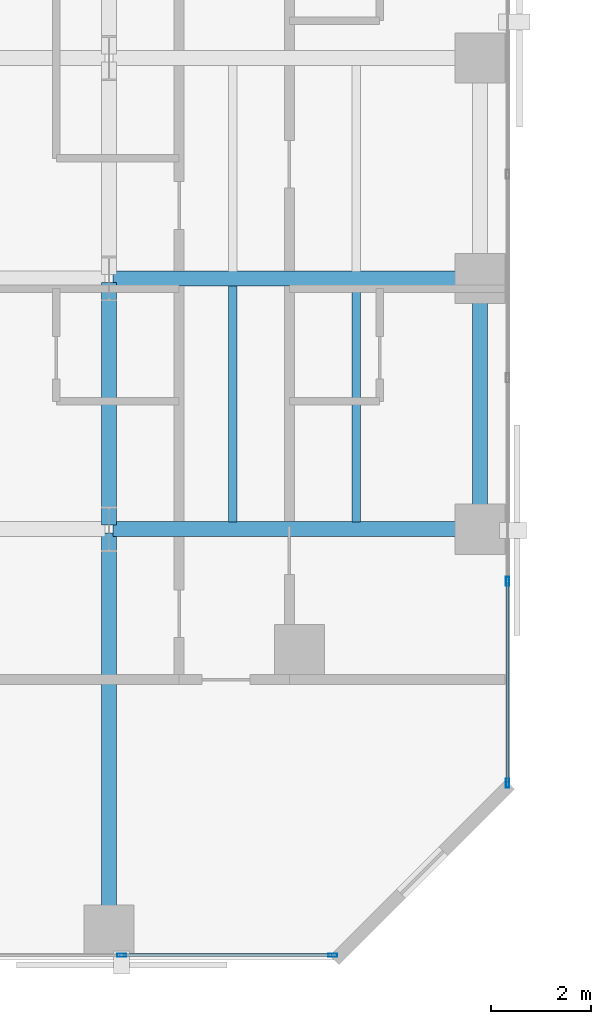
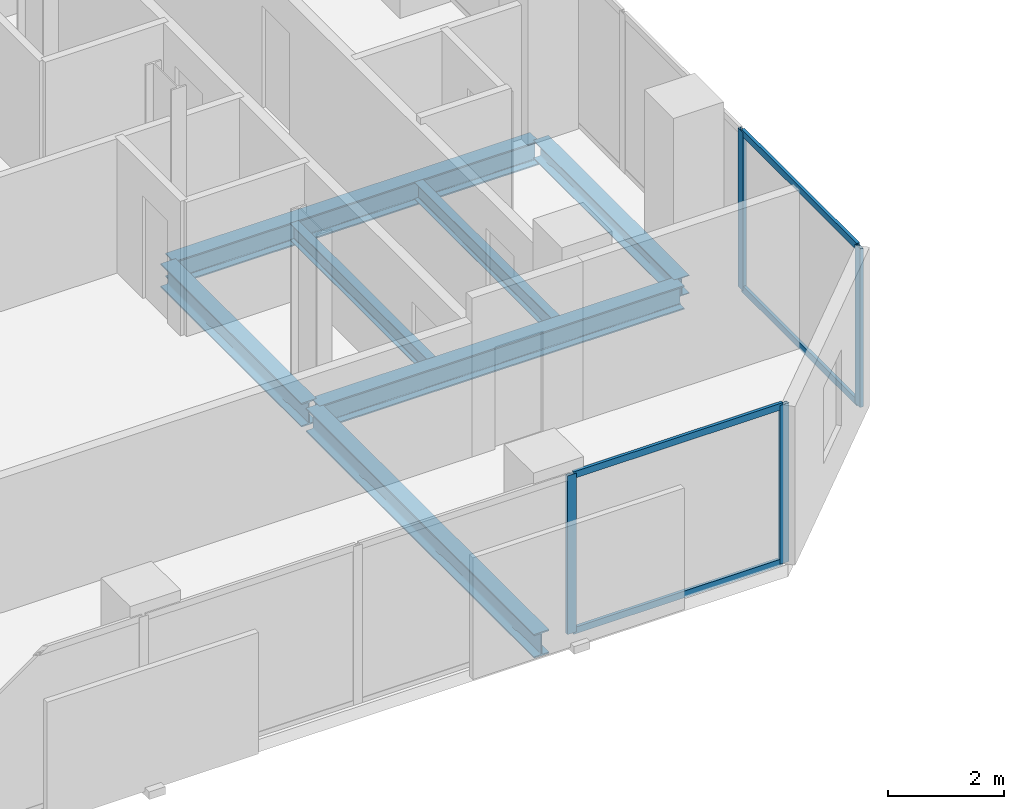
# One storey, part 6 of 31: 8 members, 7 beams, 2 elements without a shape of their own.
"""IFC4 building model written with IfcOpenShell, lengths in metres."""

import ifcopenshell
import ifcopenshell.guid

model = None  # the IFC model being written
_history = None  # IfcOwnerHistory: only IFC2X3 demands one
_inside = {}  # id of a spatial element -> (the spatial element, [elements in it])
_under = {}  # id of a project, library or spatial element -> (it, [spatial elements below it])
_declared = {}  # id of a project -> (the project, [libraries it declares])
_typed = {}  # id of a type object -> (the type object, [elements of that type])
_made_of = {}  # id of a material, layer set ... -> (it, [elements and type objects made of it])


def new_model(schema):
    """Start an empty IFC model of exactly this schema.

    Asked for "IFC4X3", IfcOpenShell would pick the latest addendum, in which some entities
    have other attributes; the version numbers below select the first issue.
    IFC2X3 requires an IfcOwnerHistory on every rooted entity: one is made here for all.
    """
    global model, _history
    if schema == "IFC4X3":
        model = ifcopenshell.file(schema_version=(4, 3, 0, 0))
    else:
        model = ifcopenshell.file(schema=schema)
    _inside.clear()
    _under.clear()
    _declared.clear()
    _typed.clear()
    _made_of.clear()
    _history = None
    if model.schema == "IFC2X3":
        org = make("IfcOrganization", Name="unknown")
        user = make(
            "IfcPersonAndOrganization",
            ThePerson=make("IfcPerson", FamilyName="unknown"),
            TheOrganization=org,
        )
        app = make(
            "IfcApplication",
            ApplicationDeveloper=org,
            Version="unknown",
            ApplicationFullName="unknown",
            ApplicationIdentifier="unknown",
        )
        _history = make(
            "IfcOwnerHistory",
            OwningUser=user,
            OwningApplication=app,
            ChangeAction="ADDED",
            CreationDate=0,
        )
    return model


def make(cls, **values):
    """One entity of the class cls with the attributes given. An attribute that is None is left unset."""
    return model.create_entity(
        cls, **{name: value for name, value in values.items() if value is not None}
    )


def rooted(cls, **values):
    """An entity with a GlobalId (a new one), such as an element, a storey or a relation."""
    return make(cls, GlobalId=ifcopenshell.guid.new(), OwnerHistory=_history, **values)


def si_unit(unit_type, name, prefix=None):
    """IfcSIUnit, for example si_unit("LENGTHUNIT", "METRE", prefix="MILLI")."""
    return make("IfcSIUnit", UnitType=unit_type, Prefix=prefix, Name=name)


def assignment(units):
    """IfcUnitAssignment: the units of a project."""
    return None if units is None else make("IfcUnitAssignment", Units=units)


def point(xyz):
    """IfcCartesianPoint."""
    return None if xyz is None else make("IfcCartesianPoint", Coordinates=xyz)


def direction(xyz):
    """IfcDirection."""
    return None if xyz is None else make("IfcDirection", DirectionRatios=xyz)


def frame(location, z_axis=None, x_axis=None):
    """IfcAxis2Placement3D, a coordinate frame: its origin and axes. An axis left out is left unset."""
    return make(
        "IfcAxis2Placement3D",
        Location=point(location),
        Axis=direction(z_axis),
        RefDirection=direction(x_axis),
    )


def frame_2d(location, x_axis=None):
    """IfcAxis2Placement2D, a coordinate frame in the plane: its origin and x axis."""
    return make(
        "IfcAxis2Placement2D", Location=point(location), RefDirection=direction(x_axis)
    )


def origin():
    """The frame at (0, 0, 0) with its axes left unset."""
    return frame((0.0, 0.0, 0.0))


def origin_2d():
    """The frame at (0, 0) in the plane with its x axis left unset."""
    return frame_2d((0.0, 0.0))


def place(relative_to, where):
    """IfcLocalPlacement: puts the frame where relative to a parent placement (None: the world)."""
    return make(
        "IfcLocalPlacement", PlacementRelTo=relative_to, RelativePlacement=where
    )


def context(
    kind, dimensions, precision=None, world=None, true_north=None, identifier=None
):
    """IfcGeometricRepresentationContext, for example the 3D "Model" context."""
    return make(
        "IfcGeometricRepresentationContext",
        ContextIdentifier=identifier,
        ContextType=kind,
        CoordinateSpaceDimension=dimensions,
        Precision=precision,
        WorldCoordinateSystem=world,
        TrueNorth=true_north,
    )


def subcontext(parent, identifier, kind, view, scale=None):
    """IfcGeometricRepresentationSubContext, for example "Body" below "Model"."""
    return make(
        "IfcGeometricRepresentationSubContext",
        ContextIdentifier=identifier,
        ContextType=kind,
        ParentContext=parent,
        TargetScale=scale,
        TargetView=view,
    )


def project(units=None, contexts=None):
    """IfcProject with its units and contexts."""
    return rooted(
        "IfcProject",
        Name="project",
        RepresentationContexts=contexts,
        UnitsInContext=assignment(units),
    )


def spatial(cls, under=None, at=None, **own):
    """A site, building, storey or space (cls), placed at a placement, below another one or the project."""
    s = rooted(cls, ObjectPlacement=at, **own)
    if under is not None:
        _under.setdefault(under.id(), (under, []))[1].append(s)
    return s


def profile(cls, at=None, kind="AREA", **sizes):
    """A parametric profile (cls). Its sizes go by their IFC names, for example OverallWidth=200.0."""
    return make(cls, ProfileType=kind, Position=at, **sizes)


def hollow_rectangle(**sizes):
    """IfcRectangleHollowProfileDef."""
    return profile("IfcRectangleHollowProfileDef", **sizes)


def i_section(**sizes):
    """IfcIShapeProfileDef."""
    return profile("IfcIShapeProfileDef", **sizes)


def extrude(swept, where, along, depth):
    """IfcExtrudedAreaSolid: the profile swept, set in the frame where, extruded along a direction by depth."""
    return make(
        "IfcExtrudedAreaSolid",
        SweptArea=swept,
        Position=where,
        ExtrudedDirection=direction(along),
        Depth=depth,
    )


def shape(context_of_items, identifier, shape_type, items):
    """IfcShapeRepresentation: the items that make up one representation, for example the "Body"."""
    return make(
        "IfcShapeRepresentation",
        ContextOfItems=context_of_items,
        RepresentationIdentifier=identifier,
        RepresentationType=shape_type,
        Items=items,
    )


def material(Name=None, Category=None):
    """IfcMaterial."""
    return make("IfcMaterial", Name=Name, Category=Category)


def layer(
    of_material, thickness, ventilated=None, Name=None, Category=None, Priority=None
):
    """IfcMaterialLayer: one layer of a wall or slab, of a material (None: an air gap)."""
    return make(
        "IfcMaterialLayer",
        Material=of_material,
        LayerThickness=thickness,
        IsVentilated=ventilated,
        Name=Name,
        Category=Category,
        Priority=Priority,
    )


def layer_set(layers, Name=None):
    """IfcMaterialLayerSet."""
    return make("IfcMaterialLayerSet", MaterialLayers=layers, LayerSetName=Name)


def material_profile(
    of_material, cross_section, Name=None, Category=None, Priority=None
):
    """IfcMaterialProfile: a cross section and its material."""
    return make(
        "IfcMaterialProfile",
        Name=Name,
        Material=of_material,
        Profile=cross_section,
        Priority=Priority,
        Category=Category,
    )


def profile_set(profiles, Name=None, composite=None):
    """IfcMaterialProfileSet."""
    return make(
        "IfcMaterialProfileSet",
        Name=Name,
        MaterialProfiles=profiles,
        CompositeProfile=composite,
    )


def made_of(thing, what):
    """Note that an element or type object is made of a material, layer set ...; save() writes the relation."""
    if what is not None:
        _made_of.setdefault(what.id(), (what, []))[1].append(thing)
    return thing


def type_object(cls, material=None, **own):
    """A type object (cls), such as IfcWallType, which elements share."""
    return made_of(rooted(cls, **own), material)


def element(
    cls,
    number,
    at=None,
    inside=None,
    cuts=None,
    type_object=None,
    material=None,
    context=None,
    identifier="Body",
    shape_type=None,
    held_by="IfcProductDefinitionShape",
    body=None,
    shapes=None,
    **own,
):
    """One element of the class cls, such as IfcWall. Its Tag is "e" and its number.

    at: its placement. inside: the storey or other place that contains it. cuts: it is an
    opening in that element (IfcRelVoidsElement). A single representation is given by context,
    identifier, shape_type and body (its items); several are given by shapes. held_by: the class
    of the entity that holds the representations. save() writes the other relations.
    """
    e = rooted(cls, Tag="e%d" % number, ObjectPlacement=at, **own)
    if body is not None:
        shapes = [shape(context, identifier, shape_type, body)]
    if shapes is not None:
        e.Representation = make(held_by, Representations=shapes)
    if inside is not None:
        _inside.setdefault(inside.id(), (inside, []))[1].append(e)
    if cuts is not None:
        rooted(
            "IfcRelVoidsElement", RelatingBuildingElement=cuts, RelatedOpeningElement=e
        )
    if type_object is not None:
        _typed.setdefault(type_object.id(), (type_object, []))[1].append(e)
    return made_of(e, material)


def aggregate(whole, parts):
    """IfcRelAggregates: a whole, such as a stair, and the parts it consists of."""
    return rooted("IfcRelAggregates", RelatingObject=whole, RelatedObjects=parts)


def save(model, path):
    """Write the relations noted so far, then the file.

    IfcRelAggregates (storeys below a building ...), IfcRelContainedInSpatialStructure (elements
    in a storey), IfcRelDefinesByType, IfcRelAssociatesMaterial and IfcRelDeclares: one each for
    every whole, place, type object, material and project.
    """
    for whole, parts in _under.values():
        aggregate(whole, parts)
    for where, things in _inside.values():
        rooted(
            "IfcRelContainedInSpatialStructure",
            RelatedElements=things,
            RelatingStructure=where,
        )
    for kind, things in _typed.values():
        rooted("IfcRelDefinesByType", RelatedObjects=things, RelatingType=kind)
    for what, things in _made_of.values():
        rooted("IfcRelAssociatesMaterial", RelatedObjects=things, RelatingMaterial=what)
    for by, libraries in _declared.values():
        rooted("IfcRelDeclares", RelatingContext=by, RelatedDefinitions=libraries)
    model.write(path)


model = new_model("IFC4")

# Units and contexts
model_context = context("Model", 3, precision=1e-05, world=origin(), true_north=direction((0.0, 1.0)))
body_context = subcontext(model_context, "Body", "Model", "MODEL_VIEW")
ifc_project = project(units=[si_unit("LENGTHUNIT", "METRE"), si_unit("AREAUNIT", "SQUARE_METRE"), si_unit("VOLUMEUNIT", "CUBIC_METRE"), si_unit("PLANEANGLEUNIT", "RADIAN"), si_unit("MASSUNIT", "GRAM", prefix="KILO")], contexts=[model_context])

# Site, building, storey
site_placement = place(None, origin())
site = spatial("IfcSite", under=ifc_project, at=site_placement, CompositionType="ELEMENT")
building_placement = place(site_placement, origin())
building = spatial("IfcBuilding", under=site, at=building_placement, Name="Catumbela Crestline Tower", CompositionType="ELEMENT")
storey_placement = place(building_placement, frame((0.0, 0.0, 40.2)))
storey = spatial("IfcBuildingStorey", under=building, at=storey_placement, Name="L09", CompositionType="ELEMENT", Elevation=40.2)

# Beams
ifc_material_1 = material(Name="Structural steel S355J2", Category="steel")
ifc_material_profile_1 = material_profile(ifc_material_1, i_section(OverallWidth=0.3, OverallDepth=0.5, WebThickness=0.0145, FlangeThickness=0.028, FilletRadius=0.027, at=origin_2d()), Name="HEB 500")
ifc_profile_set_1 = profile_set([ifc_material_profile_1], Name="Structural steel S355J2")
beam_type_1 = type_object("IfcBeamType", Name="BG-HEB500", PredefinedType="BEAM", material=ifc_profile_set_1)
for number, where, z_axis, x_axis, name in (
    (1, (16.08, 8.6, -0.51), (1.0, 0.0, 0.0), (0.0, 1.0, 0.0), "L09 Beam BM-L09-WEW50"),
    (2, (16.08, 13.6, -0.51), (1.0, 0.0, 0.0), (0.0, 1.0, 0.0), "L09 Beam BM-L09-WEW53"),
):
    element("IfcBeam", number, at=place(storey_placement, frame(where, z_axis=z_axis, x_axis=x_axis)), inside=storey, type_object=beam_type_1, Name=name, PredefinedType="BEAM", context=body_context, shape_type="SweptSolid", body=[
        extrude(i_section(OverallWidth=0.3, OverallDepth=0.5, WebThickness=0.0145, FlangeThickness=0.028, FilletRadius=0.027, at=origin_2d()), origin(), (0.0, 0.0, 1.0), 7.24),
    ])
beam_1_placement = place(storey_placement, frame((16.0, 0.68, -0.51), z_axis=(0.0, 1.0, 0.0), x_axis=(-1.0, 0.0, 0.0)))
element("IfcBeam", 3, at=beam_1_placement, inside=storey, type_object=beam_type_1, Name="L09 Beam BM-L09-WNS64", PredefinedType="BEAM", context=body_context, shape_type="SweptSolid", body=[
    extrude(i_section(OverallWidth=0.3, OverallDepth=0.5, WebThickness=0.0145, FlangeThickness=0.028, FilletRadius=0.027, at=origin_2d()), origin(), (0.0, 0.0, 1.0), 7.84),
])
beam_2_placement = place(storey_placement, frame((16.0, 8.68, -0.51), z_axis=(0.0, 1.0, 0.0), x_axis=(-1.0, 0.0, 0.0)))
element("IfcBeam", 4, at=beam_2_placement, inside=storey, type_object=beam_type_1, Name="L09 Beam BM-L09-WNS65", PredefinedType="BEAM", context=body_context, shape_type="SweptSolid", body=[
    extrude(i_section(OverallWidth=0.3, OverallDepth=0.5, WebThickness=0.0145, FlangeThickness=0.028, FilletRadius=0.027, at=origin_2d()), origin(), (0.0, 0.0, 1.0), 4.84),
])
ifc_material_profile_2 = material_profile(ifc_material_1, i_section(OverallWidth=0.17, OverallDepth=0.36, WebThickness=0.008, FlangeThickness=0.0127, FilletRadius=0.018, at=origin_2d()), Name="IPE 360")
ifc_profile_set_2 = profile_set([ifc_material_profile_2], Name="Structural steel S355J2")
beam_type_2 = type_object("IfcBeamType", Name="BJ-IPE360", PredefinedType="JOIST", material=ifc_profile_set_2)
for number, where, z_axis, x_axis, name in (
    (5, (18.467, 8.747, -0.44), (0.0, 1.0, 0.0), (-1.0, 0.0, 0.0), "L09 Joist JS-L09-WG74"),
    (6, (20.933, 8.747, -0.44), (0.0, 1.0, 0.0), (-1.0, 0.0, 0.0), "L09 Joist JS-L09-WG75"),
):
    element("IfcBeam", number, at=place(storey_placement, frame(where, z_axis=z_axis, x_axis=x_axis)), inside=storey, type_object=beam_type_2, Name=name, PredefinedType="JOIST", context=body_context, shape_type="SweptSolid", body=[
        extrude(i_section(OverallWidth=0.17, OverallDepth=0.36, WebThickness=0.008, FlangeThickness=0.0127, FilletRadius=0.018, at=origin_2d()), origin(), (0.0, 0.0, 1.0), 4.706),
    ])

# Curtain wall, members
ifc_material_2 = material(Name="Aluminium alloy AW-6060-T66", Category="aluminium")
ifc_layer = layer(ifc_material_2, 0.18, Name="Aluminium alloy AW-6060-T66")
ifc_layer_set = layer_set([ifc_layer], Name="Aluminium alloy AW-6060-T66")
curtain_wall_type = type_object("IfcCurtainWallType", Name="CWU-Z1", PredefinedType="USERDEFINED", material=ifc_layer_set)
curtain_wall_1_placement = place(storey_placement, origin())
curtain_wall_1 = element("IfcCurtainWall", 7, at=curtain_wall_1_placement, inside=storey, type_object=curtain_wall_type, Name="L09 Unitised Curtain Wall CW-L09-E0S1", ObjectType="UNITISED", PredefinedType="USERDEFINED")
ifc_material_profile_3 = material_profile(ifc_material_2, hollow_rectangle(XDim=0.065, YDim=0.18, WallThickness=0.004, at=origin_2d()), Name="ALU 180x65x4")
ifc_profile_set_3 = profile_set([ifc_material_profile_3], Name="Aluminium alloy AW-6060-T66")
member_type_1 = type_object("IfcMemberType", Name="MUL-180X65", PredefinedType="MULLION", material=ifc_profile_set_3)
member_1_placement = place(storey_placement, frame((16.25, 0.1, 0.0), z_axis=(0.0, 0.0, 1.0), x_axis=(0.0, 1.0, 0.0)))
member_1 = element("IfcMember", 8, at=member_1_placement, type_object=member_type_1, Name="CWU-Z1 mullion 4", PredefinedType="MULLION", context=body_context, shape_type="SweptSolid", body=[
    extrude(hollow_rectangle(XDim=0.065, YDim=0.18, WallThickness=0.004, at=origin_2d()), origin(), (0.0, 0.0, 1.0), 3.33),
])
member_2_placement = place(storey_placement, frame((20.4675, 0.1, 0.0), z_axis=(0.0, 0.0, 1.0), x_axis=(0.0, 1.0, 0.0)))
member_2 = element("IfcMember", 9, at=member_2_placement, type_object=member_type_1, Name="CWU-Z1 mullion 5", PredefinedType="MULLION", context=body_context, shape_type="SweptSolid", body=[
    extrude(hollow_rectangle(XDim=0.065, YDim=0.18, WallThickness=0.004, at=origin_2d()), origin(), (0.0, 0.0, 1.0), 3.33),
])

curtain_wall_2_placement = place(storey_placement, origin())
curtain_wall_2 = element("IfcCurtainWall", 10, at=curtain_wall_2_placement, inside=storey, type_object=curtain_wall_type, Name="L09 Unitised Curtain Wall CW-L09-E2S1", ObjectType="UNITISED", PredefinedType="USERDEFINED")
member_3_placement = place(storey_placement, frame((23.95, 3.5325, 0.0), z_axis=(0.0, 0.0, 1.0), x_axis=(-1.0, 0.0, 0.0)))
member_3 = element("IfcMember", 11, at=member_3_placement, type_object=member_type_1, Name="CWU-Z1 mullion 1", PredefinedType="MULLION", context=body_context, shape_type="SweptSolid", body=[
    extrude(hollow_rectangle(XDim=0.065, YDim=0.18, WallThickness=0.004, at=origin_2d()), origin(), (0.0, 0.0, 1.0), 3.33),
])
member_4_placement = place(storey_placement, frame((23.95, 7.56, 0.0), z_axis=(0.0, 0.0, 1.0), x_axis=(-1.0, 0.0, 0.0)))
member_4 = element("IfcMember", 12, at=member_4_placement, type_object=member_type_1, Name="CWU-Z1 mullion 2", PredefinedType="MULLION", context=body_context, shape_type="SweptSolid", body=[
    extrude(hollow_rectangle(XDim=0.065, YDim=0.18, WallThickness=0.004, at=origin_2d()), origin(), (0.0, 0.0, 1.0), 3.33),
])

# Beam
ifc_material_profile_4 = material_profile(ifc_material_1, i_section(OverallWidth=0.3, OverallDepth=0.39, WebThickness=0.011, FlangeThickness=0.019, FilletRadius=0.027, at=origin_2d()), Name="HEA 400")
ifc_profile_set_4 = profile_set([ifc_material_profile_4], Name="Structural steel S355J2")
beam_type_3 = type_object("IfcBeamType", Name="BS-HEA400", PredefinedType="SPANDREL", material=ifc_profile_set_4)
beam_3_placement = place(storey_placement, frame((23.4, 8.68, -0.455), z_axis=(0.0, 1.0, 0.0), x_axis=(-1.0, 0.0, 0.0)))
element("IfcBeam", 13, at=beam_3_placement, inside=storey, type_object=beam_type_3, Name="L09 Spandrel SP-L09-WNS68", PredefinedType="SPANDREL", context=body_context, shape_type="SweptSolid", body=[
    extrude(i_section(OverallWidth=0.3, OverallDepth=0.39, WebThickness=0.011, FlangeThickness=0.019, FilletRadius=0.027, at=origin_2d()), origin(), (0.0, 0.0, 1.0), 4.84),
])

# Member
ifc_material_profile_5 = material_profile(ifc_material_2, hollow_rectangle(XDim=0.06, YDim=0.14, WallThickness=0.004, at=origin_2d()), Name="ALU 140x60x4")
ifc_profile_set_5 = profile_set([ifc_material_profile_5], Name="Aluminium alloy AW-6060-T66")
member_type_2 = type_object("IfcMemberType", Name="TRN-140X60", PredefinedType="USERDEFINED", material=ifc_profile_set_5)
member_5_placement = place(storey_placement, frame((16.2825, 0.1, 0.03), z_axis=(1.0, 0.0, 0.0), x_axis=(0.0, 1.0, 0.0)))
member_5 = element("IfcMember", 14, at=member_5_placement, type_object=member_type_2, Name="CWU-Z1 transom 4.1", ObjectType="TRANSOM", PredefinedType="USERDEFINED", context=body_context, shape_type="SweptSolid", body=[
    extrude(hollow_rectangle(XDim=0.06, YDim=0.14, WallThickness=0.004, at=origin_2d()), origin(), (0.0, 0.0, 1.0), 4.1525),
])

member_6_placement = place(storey_placement, frame((16.2825, 0.1, 3.3), z_axis=(1.0, 0.0, 0.0), x_axis=(0.0, 1.0, 0.0)))
member_6 = element("IfcMember", 15, at=member_6_placement, type_object=member_type_2, Name="CWU-Z1 transom 4.2", ObjectType="TRANSOM", PredefinedType="USERDEFINED", context=body_context, shape_type="SweptSolid", body=[
    extrude(hollow_rectangle(XDim=0.06, YDim=0.14, WallThickness=0.004, at=origin_2d()), origin(), (0.0, 0.0, 1.0), 4.1525),
])

aggregate(curtain_wall_1, [member_1, member_2, member_5, member_6])

member_7_placement = place(storey_placement, frame((23.95, 3.565, 0.03), z_axis=(0.0, 1.0, 0.0), x_axis=(-1.0, 0.0, 0.0)))
member_7 = element("IfcMember", 16, at=member_7_placement, type_object=member_type_2, Name="CWU-Z1 transom 1.1", ObjectType="TRANSOM", PredefinedType="USERDEFINED", context=body_context, shape_type="SweptSolid", body=[
    extrude(hollow_rectangle(XDim=0.06, YDim=0.14, WallThickness=0.004, at=origin_2d()), origin(), (0.0, 0.0, 1.0), 3.9625),
])

member_8_placement = place(storey_placement, frame((23.95, 3.565, 3.3), z_axis=(0.0, 1.0, 0.0), x_axis=(-1.0, 0.0, 0.0)))
member_8 = element("IfcMember", 17, at=member_8_placement, type_object=member_type_2, Name="CWU-Z1 transom 1.2", ObjectType="TRANSOM", PredefinedType="USERDEFINED", context=body_context, shape_type="SweptSolid", body=[
    extrude(hollow_rectangle(XDim=0.06, YDim=0.14, WallThickness=0.004, at=origin_2d()), origin(), (0.0, 0.0, 1.0), 3.9625),
])

aggregate(curtain_wall_2, [member_3, member_4, member_7, member_8])

save(model, "model.ifc")
